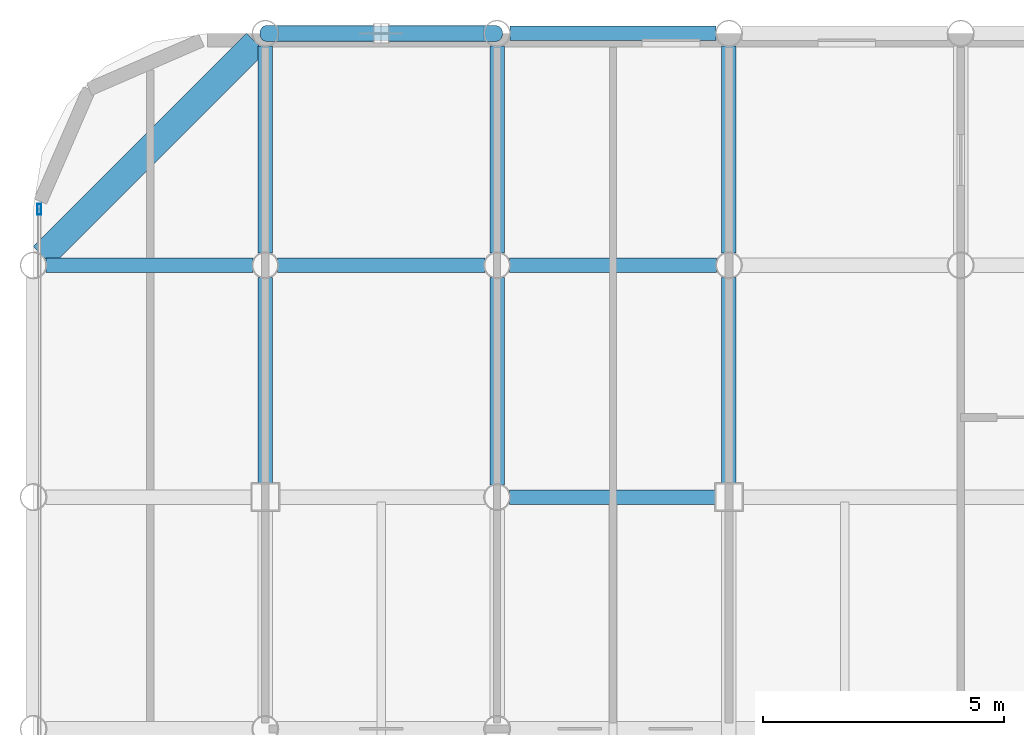
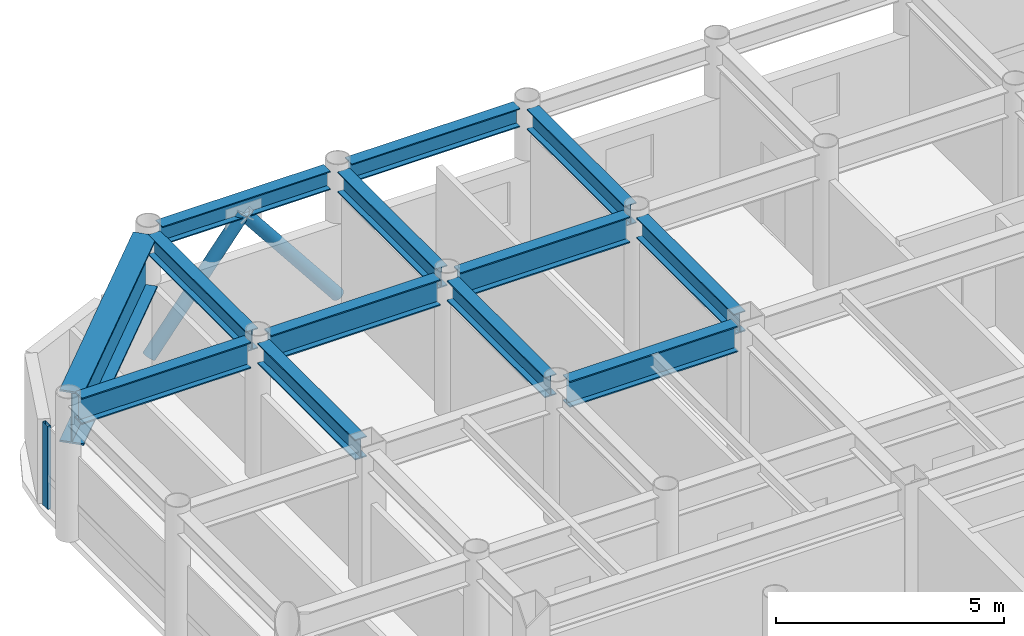
# One storey, part 12 of 23: 13 beams, 3 members, 1 element without a shape of its own.
"""IFC4 building model written with IfcOpenShell, lengths in metres."""

from ifc_helpers import new_model, si_unit, direction, frame, origin, origin_2d, place, context, subcontext, project, spatial, hollow_rectangle, hollow_circle, i_section, extrude, material, layer, layer_set, material_profile, profile_set, type_object, element, aggregate, save


model = new_model("IFC4")

# Units and contexts
model_context = context("Model", 3, precision=1e-05, world=origin(), true_north=direction((0.0, 1.0)))
body_context = subcontext(model_context, "Body", "Model", "MODEL_VIEW")
ifc_project = project(units=[si_unit("LENGTHUNIT", "METRE"), si_unit("AREAUNIT", "SQUARE_METRE"), si_unit("VOLUMEUNIT", "CUBIC_METRE"), si_unit("PLANEANGLEUNIT", "RADIAN"), si_unit("MASSUNIT", "GRAM", prefix="KILO")], contexts=[model_context])

# Site, building, storey
site_placement = place(None, origin())
site = spatial("IfcSite", under=ifc_project, at=site_placement, CompositionType="ELEMENT")
building_placement = place(site_placement, origin())
building = spatial("IfcBuilding", under=site, at=building_placement, Name="Kallvorn Hotel Tower", CompositionType="ELEMENT")
storey_placement = place(building_placement, frame((0.0, 0.0, 237.699951171875)))
storey = spatial("IfcBuildingStorey", under=building, at=storey_placement, Name="L59", CompositionType="ELEMENT", Elevation=237.699951171875)

# Beams
ifc_material_1 = material(Name="Structural steel S355JR", Category="steel")
ifc_material_profile_1 = material_profile(ifc_material_1, i_section(OverallWidth=0.300048828125, OverallDepth=0.5, WebThickness=0.014404296875, FlangeThickness=0.028076171875, at=origin_2d()), Name="HE 500 B")
ifc_profile_set_1 = profile_set([ifc_material_profile_1], Name="Structural steel S355JR")
beam_type_1 = type_object("IfcBeamType", Name="BM_HE500B", PredefinedType="SPANDREL", material=ifc_profile_set_1)
for number, where, z_axis, x_axis, name in (
    (1, (-23.73046875, 24.0, 3.420166015625), (1.0, 0.0, 0.0), (0.0, 1.0, 0.0), "L60 Perimeter Spandrel 163"),
    (2, (-18.930419921875, 24.0, 3.420166015625), (1.0, 0.0, 0.0), (0.0, 1.0, 0.0), "L60 Perimeter Spandrel 164"),
):
    element("IfcBeam", number, at=place(storey_placement, frame(where, z_axis=z_axis, x_axis=x_axis)), inside=storey, type_object=beam_type_1, Name=name, PredefinedType="SPANDREL", context=body_context, shape_type="SweptSolid", body=[
        extrude(i_section(OverallWidth=0.300048828125, OverallDepth=0.5, WebThickness=0.014404296875, FlangeThickness=0.028076171875, at=origin_2d()), origin(), (0.0, 0.0, 1.0), 4.260986328125),
    ])
ifc_material_2 = material(Name="Structural steel S355JR", Category="steel")
ifc_material_profile_2 = material_profile(ifc_material_2, i_section(OverallWidth=0.300048828125, OverallDepth=0.550048828125, WebThickness=0.014892578125, FlangeThickness=0.029052734375, at=origin_2d()), Name="HE 550 B")
ifc_profile_set_2 = profile_set([ifc_material_profile_2], Name="Structural steel S355JR")
beam_type_2 = type_object("IfcBeamType", Name="BM_HE550B", PredefinedType="SPANDREL", material=ifc_profile_set_2)
beam_1_placement = place(storey_placement, frame((-24.0, 14.675048828125, 3.39501953125), z_axis=(0.0, 1.0, 0.0), x_axis=(-1.0, 0.0, 0.0)))
element("IfcBeam", 3, at=beam_1_placement, inside=storey, type_object=beam_type_2, Name="L60 Primary Y-Girder 86", PredefinedType="SPANDREL", context=body_context, shape_type="SweptSolid", body=[
    extrude(i_section(OverallWidth=0.300048828125, OverallDepth=0.550048828125, WebThickness=0.014892578125, FlangeThickness=0.029052734375, at=origin_2d()), origin(), (0.0, 0.0, 1.0), 4.2705078125),
])
for number, where, z_axis, x_axis, name in (
    (4, (-24.0, 19.45458984375, 3.39501953125), (0.0, 1.0, 0.0), (-1.0, 0.0, 0.0), "L60 Primary Y-Girder 87"),
    (5, (-19.199951171875, 14.654541015625, 3.39501953125), (0.0, 1.0, 0.0), (-1.0, 0.0, 0.0), "L60 Primary Y-Girder 95"),
    (6, (-19.199951171875, 19.45458984375, 3.39501953125), (0.0, 1.0, 0.0), (-1.0, 0.0, 0.0), "L60 Primary Y-Girder 96"),
):
    element("IfcBeam", number, at=place(storey_placement, frame(where, z_axis=z_axis, x_axis=x_axis)), inside=storey, type_object=beam_type_2, Name=name, PredefinedType="SPANDREL", context=body_context, shape_type="SweptSolid", body=[
        extrude(i_section(OverallWidth=0.300048828125, OverallDepth=0.550048828125, WebThickness=0.014892578125, FlangeThickness=0.029052734375, at=origin_2d()), origin(), (0.0, 0.0, 1.0), 4.291015625),
    ])
beam_2_placement = place(storey_placement, frame((-14.39990234375, 14.675048828125, 3.39501953125), z_axis=(0.0, 1.0, 0.0), x_axis=(-1.0, 0.0, 0.0)))
element("IfcBeam", 7, at=beam_2_placement, inside=storey, type_object=beam_type_2, Name="L60 Primary Y-Girder 100", PredefinedType="SPANDREL", context=body_context, shape_type="SweptSolid", body=[
    extrude(i_section(OverallWidth=0.300048828125, OverallDepth=0.550048828125, WebThickness=0.014892578125, FlangeThickness=0.029052734375, at=origin_2d()), origin(), (0.0, 0.0, 1.0), 4.2705078125),
])
beam_3_placement = place(storey_placement, frame((-14.39990234375, 19.45458984375, 3.39501953125), z_axis=(0.0, 1.0, 0.0), x_axis=(-1.0, 0.0, 0.0)))
element("IfcBeam", 8, at=beam_3_placement, inside=storey, type_object=beam_type_2, Name="L60 Primary Y-Girder 101", PredefinedType="SPANDREL", context=body_context, shape_type="SweptSolid", body=[
    extrude(i_section(OverallWidth=0.300048828125, OverallDepth=0.550048828125, WebThickness=0.014892578125, FlangeThickness=0.029052734375, at=origin_2d()), origin(), (0.0, 0.0, 1.0), 4.291015625),
])
ifc_material_3 = material(Name="Structural steel S355JR", Category="steel")
ifc_material_profile_3 = material_profile(ifc_material_3, i_section(OverallWidth=0.300048828125, OverallDepth=0.699951171875, WebThickness=0.01708984375, FlangeThickness=0.031982421875, at=origin_2d()), Name="HE 700 B")
ifc_profile_set_3 = profile_set([ifc_material_profile_3], Name="Structural steel S355JR")
beam_type_3 = type_object("IfcBeamType", Name="BM_HE700B", PredefinedType="BEAM", material=ifc_profile_set_3)
beam_4_placement = place(storey_placement, frame((-18.945556640625, 14.39990234375, 3.320068359375), z_axis=(1.0, 0.0, 0.0), x_axis=(0.0, 1.0, 0.0)))
element("IfcBeam", 9, at=beam_4_placement, inside=storey, type_object=beam_type_3, Name="L60 Primary X-Girder 52", PredefinedType="BEAM", context=body_context, shape_type="SweptSolid", body=[
    extrude(i_section(OverallWidth=0.300048828125, OverallDepth=0.699951171875, WebThickness=0.01708984375, FlangeThickness=0.031982421875, at=origin_2d()), origin(), (0.0, 0.0, 1.0), 4.2705078125),
])
for number, where, z_axis, x_axis, name in (
    (10, (-28.54541015625, 19.199951171875, 3.320068359375), (1.0, 0.0, 0.0), (0.0, 1.0, 0.0), "L60 Primary X-Girder 60"),
    (11, (-23.74560546875, 19.199951171875, 3.320068359375), (1.0, 0.0, 0.0), (0.0, 1.0, 0.0), "L60 Primary X-Girder 61"),
    (12, (-18.945556640625, 19.199951171875, 3.320068359375), (1.0, 0.0, 0.0), (0.0, 1.0, 0.0), "L60 Primary X-Girder 62"),
):
    element("IfcBeam", number, at=place(storey_placement, frame(where, z_axis=z_axis, x_axis=x_axis)), inside=storey, type_object=beam_type_3, Name=name, PredefinedType="BEAM", context=body_context, shape_type="SweptSolid", body=[
        extrude(i_section(OverallWidth=0.300048828125, OverallDepth=0.699951171875, WebThickness=0.01708984375, FlangeThickness=0.031982421875, at=origin_2d()), origin(), (0.0, 0.0, 1.0), 4.291015625),
    ])
ifc_material_4 = material(Name="Structural steel S355JR", Category="steel")
ifc_material_profile_4 = material_profile(ifc_material_4, i_section(OverallWidth=0.550048828125, OverallDepth=1.39990234375, WebThickness=0.02490234375, FlangeThickness=0.044921875, at=origin_2d()), Name="PG 1400x550x25x45")
ifc_profile_set_4 = profile_set([ifc_material_profile_4], Name="Structural steel S355JR")
beam_type_4 = type_object("IfcBeamType", Name="BM_PG_1400", PredefinedType="BEAM", material=ifc_profile_set_4)
beam_5_placement = place(storey_placement, frame((-28.609375, 19.390625, 2.969970703125), z_axis=(0.707106781187, 0.707106781187, 0.0), x_axis=(-0.707106781187, 0.707106781187, 0.0)))
element("IfcBeam", 13, at=beam_5_placement, inside=storey, type_object=beam_type_4, Name="L60 Rounded Corner Tie Beam 189", PredefinedType="BEAM", context=body_context, shape_type="SweptSolid", body=[
    extrude(i_section(OverallWidth=0.550048828125, OverallDepth=1.39990234375, WebThickness=0.02490234375, FlangeThickness=0.044921875, at=origin_2d()), origin(), (0.0, 0.0, 1.0), 6.2490234375),
])

# Curtain wall, member
ifc_material_5 = material(Name="Thermally broken black-anodised aluminium AA 6063-T6", Category="aluminium")
ifc_layer = layer(ifc_material_5, 0.22998046875)
ifc_layer_set = layer_set([ifc_layer], Name="CW_SYS_5_HOTEL_HIGH")
curtain_wall_type = type_object("IfcCurtainWallType", Name="CW_SYS_5_HOTEL_HIGH", PredefinedType="USERDEFINED", material=ifc_layer_set)
curtain_wall_placement = place(storey_placement, origin())
curtain_wall = element("IfcCurtainWall", 14, at=curtain_wall_placement, inside=storey, type_object=curtain_wall_type, Name="L59 Dark-Glass Curtain Wall CW-L59-WN", ObjectType="UNITISED CURTAIN WALL", PredefinedType="USERDEFINED")
ifc_material_6 = material(Name="Thermally broken black-anodised aluminium AA 6063-T6", Category="aluminium")
ifc_material_profile_5 = material_profile(ifc_material_6, hollow_rectangle(XDim=0.080078125, YDim=0.219970703125, WallThickness=0.0048828125, at=origin_2d()), Name="MUL 220x80")
ifc_profile_set_5 = profile_set([ifc_material_profile_5], Name="Thermally broken black-anodised aluminium AA 6063-T6")
member_type_1 = type_object("IfcMemberType", Name="CW_MULLION_220x80", PredefinedType="MULLION", material=ifc_profile_set_5)
member_placement = place(storey_placement, frame((-28.679931640625, 20.360107421875, 0.02001953125), z_axis=(0.0, 0.0, 1.0), x_axis=(1.0, 0.0, 0.0)))
member = element("IfcMember", 15, at=member_placement, type_object=member_type_1, Name="CW-L59-WN Mullion 01", PredefinedType="MULLION", context=body_context, shape_type="SweptSolid", body=[
    extrude(hollow_rectangle(XDim=0.080078125, YDim=0.219970703125, WallThickness=0.0048828125, at=origin_2d()), origin(), (0.0, 0.0, 1.0), 2.22998046875),
])
aggregate(curtain_wall, [member])

# Members
ifc_material_7 = material(Name="Structural steel S355J2H", Category="steel")
ifc_material_profile_6 = material_profile(ifc_material_7, hollow_circle(Radius=0.161865234375, WallThickness=0.012451171875, at=origin_2d()), Name="CHS 323.9x12.5")
ifc_profile_set_6 = profile_set([ifc_material_profile_6], Name="Structural steel S355J2H")
member_type_2 = type_object("IfcMemberType", Name="MBR_EXO_CHS323", PredefinedType="BRACE", material=ifc_profile_set_6)
for number, where, z_axis, x_axis, name in (
    (16, (-23.987548828125, 24.0, 0.19580078125), (0.620928510901, 0.0, 0.783867198159), (0.0, 1.0, 0.0), "L59 Exoskeleton K-Brace N1A"),
    (17, (-19.21240234375, 24.0, 0.19580078125), (-0.620928510901, 0.0, 0.783867198159), (0.0, -1.0, 0.0), "L59 Exoskeleton K-Brace N1B"),
):
    element("IfcMember", number, at=place(storey_placement, frame(where, z_axis=z_axis, x_axis=x_axis)), inside=storey, type_object=member_type_2, Name=name, PredefinedType="BRACE", context=body_context, shape_type="SweptSolid", body=[
        extrude(hollow_circle(Radius=0.161865234375, WallThickness=0.012451171875, at=origin_2d()), origin(), (0.0, 0.0, 1.0), 3.8251953125),
    ])

save(model, "model.ifc")
